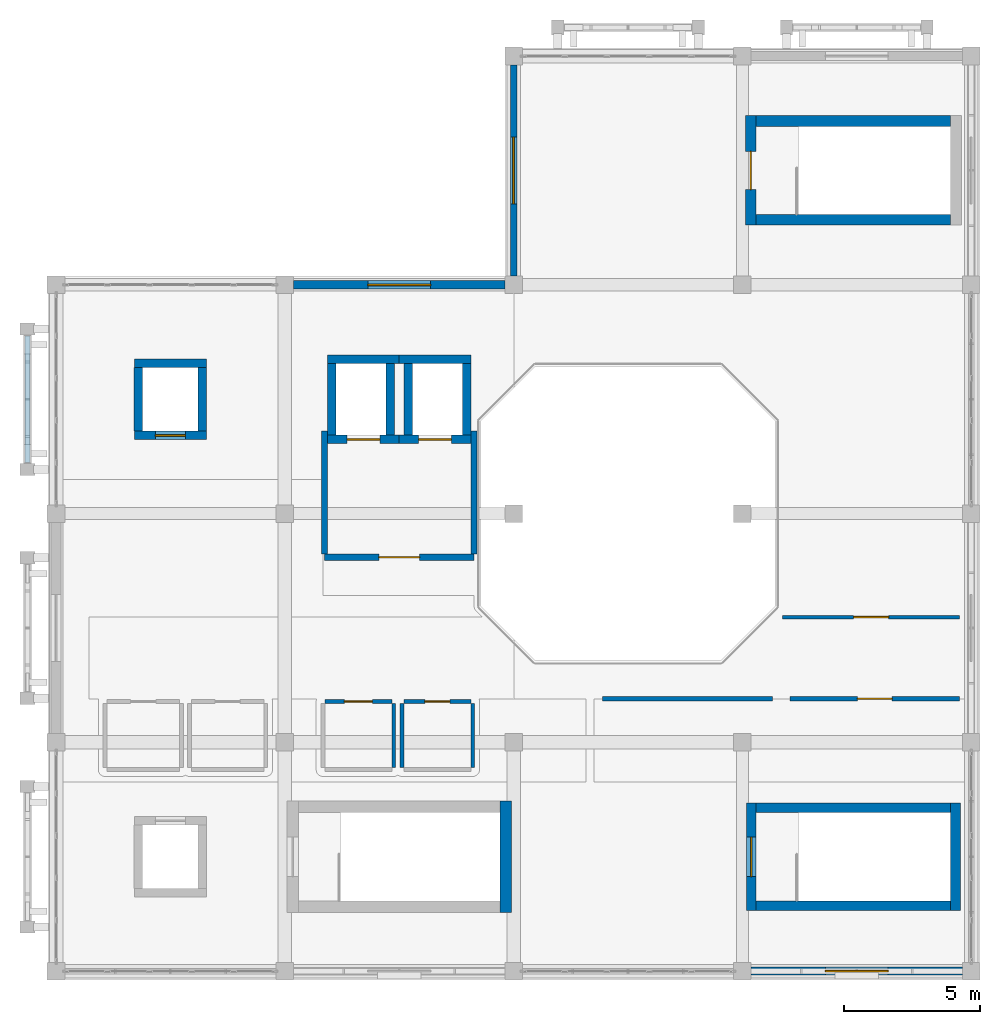
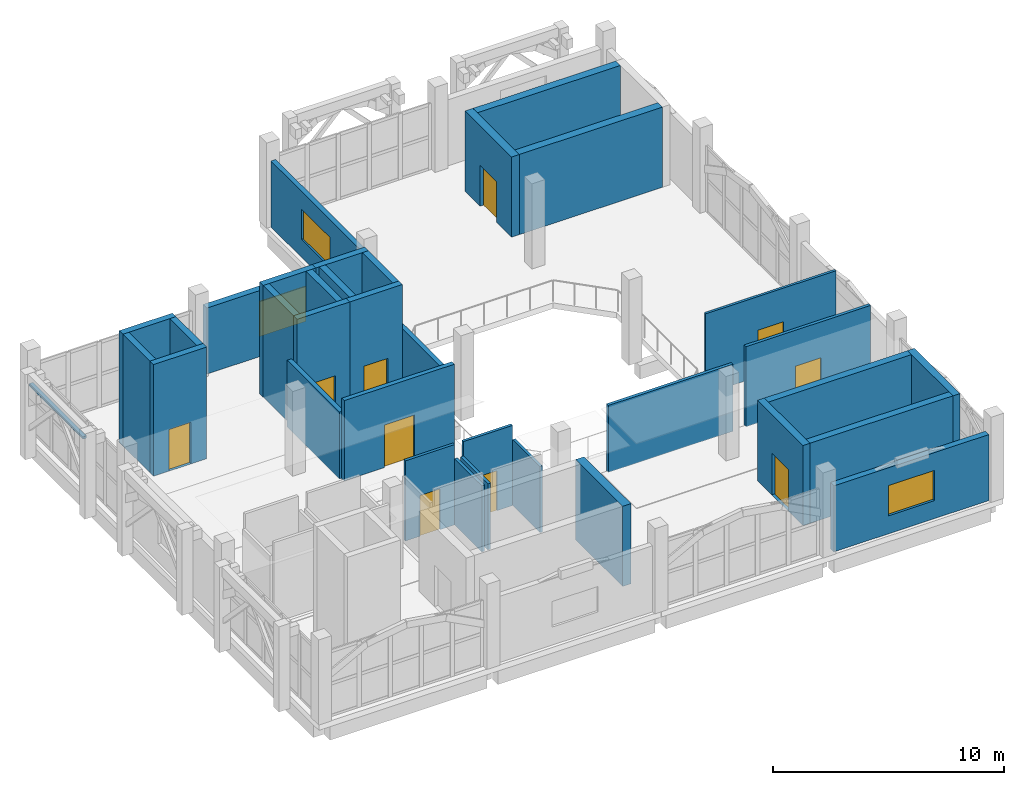
# One storey, part 14 of 16: 35 walls, 10 doors, 3 windows, 13 openings.
"""IFC4 building model written with IfcOpenShell, lengths in metres."""

from ifc_helpers import new_model, si_unit, direction, frame, frame_2d, origin, place, context, subcontext, project, spatial, rectangle, extrude, material, layer, layer_set, type_object, element, fill, save


model = new_model("IFC4")

# Units and contexts
model_context = context("Model", 3, precision=1e-05, world=origin(), true_north=direction((0.0, 1.0)))
body_context = subcontext(model_context, "Body", "Model", "MODEL_VIEW")
ifc_project = project(units=[si_unit("LENGTHUNIT", "METRE"), si_unit("AREAUNIT", "SQUARE_METRE"), si_unit("VOLUMEUNIT", "CUBIC_METRE"), si_unit("PLANEANGLEUNIT", "RADIAN"), si_unit("MASSUNIT", "GRAM", prefix="KILO")], contexts=[model_context])

# Site, building, storey
site_placement = place(None, origin())
site = spatial("IfcSite", under=ifc_project, at=site_placement, CompositionType="ELEMENT")
building_placement = place(site_placement, origin())
building = spatial("IfcBuilding", under=site, at=building_placement, Name="Xazarin Passage Department Store", CompositionType="ELEMENT")
storey_placement = place(building_placement, frame((0.0, 0.0, 32.39990234375)))
storey = spatial("IfcBuildingStorey", under=building, at=storey_placement, Name="L07", CompositionType="ELEMENT", Elevation=32.39990234375)

# Wall, opening, window
ifc_material_1 = material(Name="Precast concrete C40/50", Category="concrete")
ifc_layer_1 = layer(ifc_material_1, 0.239990234375)
ifc_layer_set_1 = layer_set([ifc_layer_1], Name="Precast concrete C40/50")
wall_type_1 = type_object("IfcWallType", Name="ARC-W-EXT240", PredefinedType="SOLIDWALL", material=ifc_layer_set_1)
wall_1_placement = place(storey_placement, frame((16.800048828125, 101.925048828125, 0.0), z_axis=(0.0, 0.0, 1.0), x_axis=(0.0, 1.0, 0.0)))
wall_1 = element("IfcWall", 1, at=wall_1_placement, inside=storey, type_object=wall_type_1, Name="L07 V1 Exterior Wall 084", PredefinedType="SOLIDWALL", context=body_context, shape_type="SweptSolid", body=[
    extrude(rectangle(XDim=7.75, YDim=0.239990234375, at=frame_2d((3.875, 0.0))), origin(), (0.0, 0.0, 1.0), 3.489990234375),
])
opening_1_placement = place(wall_1_placement, frame((2.64990234375, 0.0, 0.949951171875)))
opening_1 = element("IfcOpeningElement", 2, at=opening_1_placement, cuts=wall_1, Name="Opening W42", PredefinedType="OPENING", context=body_context, shape_type="SweptSolid", body=[
    extrude(rectangle(XDim=2.449951171875, YDim=1.60009765625, at=frame_2d((1.22509765625, 0.800048828125))), frame((0.0, 0.1298828125, 0.0), z_axis=(0.0, -1.0, 0.0), x_axis=(1.0, 0.0, 0.0)), (0.0, 0.0, 1.0), 0.260009765625),
])
ifc_material_2 = material(Name="Low-E laminated safety glass", Category="glass")
window_type_1 = type_object("IfcWindowType", Name="ARC-WIN-W42", PartitioningType="DOUBLE_PANEL_VERTICAL", PredefinedType="WINDOW", material=ifc_material_2)
window_1_placement = place(opening_1_placement, origin())
window_1 = element("IfcWindow", 3, at=window_1_placement, inside=storey, type_object=window_type_1, Name="L07 V1 Facade Window 0042", OverallHeight=1.60009765625, OverallWidth=2.449951171875, PartitioningType="DOUBLE_PANEL_VERTICAL", PredefinedType="WINDOW", context=body_context, shape_type="SweptSolid", body=[
    extrude(rectangle(XDim=2.449951171875, YDim=1.60009765625, at=frame_2d((1.22509765625, 0.800048828125))), frame((0.0, 0.030029296875, 0.0), z_axis=(0.0, -1.0, 0.0), x_axis=(1.0, 0.0, 0.0)), (0.0, 0.0, 1.0), 0.06005859375),
])
fill(opening_1, window_1)

ifc_layer_2 = layer(ifc_material_1, 0.300048828125)
ifc_layer_set_2 = layer_set([ifc_layer_2], Name="Precast concrete C40/50")
wall_type_2 = type_object("IfcWallType", Name="ARC-W-EXT300", PredefinedType="SOLIDWALL", material=ifc_layer_set_2)
wall_2_placement = place(storey_placement, frame((25.52490234375, 76.39990234375, 0.0), z_axis=(0.0, 0.0, 1.0), x_axis=(1.0, 0.0, 0.0)))
wall_2 = element("IfcWall", 4, at=wall_2_placement, inside=storey, type_object=wall_type_2, Name="L07 V1 Exterior Wall 080", PredefinedType="SOLIDWALL", context=body_context, shape_type="SweptSolid", body=[
    extrude(rectangle(XDim=7.75, YDim=0.300048828125, at=frame_2d((3.875, 0.0))), origin(), (0.0, 0.0, 1.0), 3.489990234375),
])
opening_2_placement = place(wall_2_placement, frame((2.72509765625, 0.0, 0.949951171875)))
opening_2 = element("IfcOpeningElement", 5, at=opening_2_placement, cuts=wall_2, Name="Opening W38", PredefinedType="OPENING", context=body_context, shape_type="SweptSolid", body=[
    extrude(rectangle(XDim=2.300048828125, YDim=1.60009765625, at=frame_2d((1.14990234375, 0.800048828125))), frame((0.0, 0.159912109375, 0.0), z_axis=(0.0, -1.0, 0.0), x_axis=(1.0, 0.0, 0.0)), (0.0, 0.0, 1.0), 0.320068359375),
])
window_type_2 = type_object("IfcWindowType", Name="ARC-WIN-W38", PartitioningType="DOUBLE_PANEL_VERTICAL", PredefinedType="WINDOW", material=ifc_material_2)
window_2_placement = place(opening_2_placement, origin())
window_2 = element("IfcWindow", 6, at=window_2_placement, inside=storey, type_object=window_type_2, Name="L07 V1 Facade Window 0038", OverallHeight=1.60009765625, OverallWidth=2.300048828125, PartitioningType="DOUBLE_PANEL_VERTICAL", PredefinedType="WINDOW", context=body_context, shape_type="SweptSolid", body=[
    extrude(rectangle(XDim=2.300048828125, YDim=1.60009765625, at=frame_2d((1.14990234375, 0.800048828125))), frame((0.0, 0.030029296875, 0.0), z_axis=(0.0, -1.0, 0.0), x_axis=(1.0, 0.0, 0.0)), (0.0, 0.0, 1.0), 0.06005859375),
])
fill(opening_2, window_2)

ifc_material_3 = material(Name="Buff Baku clay brick", Category="masonry")
ifc_layer_3 = layer(ifc_material_3, 0.320068359375)
ifc_layer_set_3 = layer_set([ifc_layer_3], Name="Buff Baku clay brick")
wall_type_3 = type_object("IfcWallType", Name="ARC-W-EXT320", PredefinedType="SOLIDWALL", material=ifc_layer_set_3)
wall_3_placement = place(storey_placement, frame((8.72509765625, 101.60009765625, 0.0), z_axis=(0.0, 0.0, 1.0), x_axis=(1.0, 0.0, 0.0)))
wall_3 = element("IfcWall", 7, at=wall_3_placement, inside=storey, type_object=wall_type_3, Name="L07 V1 Exterior Wall 081", PredefinedType="SOLIDWALL", context=body_context, shape_type="SweptSolid", body=[
    extrude(rectangle(XDim=7.75, YDim=0.320068359375, at=frame_2d((3.875, 0.0))), origin(), (0.0, 0.0, 1.0), 3.489990234375),
])
opening_3_placement = place(wall_3_placement, frame((2.72509765625, 0.0, 0.949951171875)))
opening_3 = element("IfcOpeningElement", 8, at=opening_3_placement, cuts=wall_3, Name="Opening W39", PredefinedType="OPENING", context=body_context, shape_type="SweptSolid", body=[
    extrude(rectangle(XDim=2.300048828125, YDim=1.85009765625, at=frame_2d((1.14990234375, 0.925048828125))), frame((0.0, 0.169921875, 0.0), z_axis=(0.0, -1.0, 0.0), x_axis=(1.0, 0.0, 0.0)), (0.0, 0.0, 1.0), 0.340087890625),
])
window_type_3 = type_object("IfcWindowType", Name="ARC-WIN-W39", PartitioningType="DOUBLE_PANEL_VERTICAL", PredefinedType="WINDOW", material=ifc_material_2)
window_3_placement = place(opening_3_placement, origin())
window_3 = element("IfcWindow", 9, at=window_3_placement, inside=storey, type_object=window_type_3, Name="L07 V1 Facade Window 0039", OverallHeight=1.85009765625, OverallWidth=2.300048828125, PartitioningType="DOUBLE_PANEL_VERTICAL", PredefinedType="WINDOW", context=body_context, shape_type="SweptSolid", body=[
    extrude(rectangle(XDim=2.300048828125, YDim=1.85009765625, at=frame_2d((1.14990234375, 0.925048828125))), frame((0.0, 0.030029296875, 0.0), z_axis=(0.0, -1.0, 0.0), x_axis=(1.0, 0.0, 0.0)), (0.0, 0.0, 1.0), 0.06005859375),
])
fill(opening_3, window_3)

# Wall, opening, door
ifc_material_4 = material(Name="Concrete C35/45", Category="concrete")
ifc_layer_4 = layer(ifc_material_4, 0.22509765625)
ifc_layer_set_4 = layer_set([ifc_layer_4], Name="Concrete C35/45")
wall_type_4 = type_object("IfcWallType", Name="ARC-W-FIR225", PredefinedType="PARTITIONING", material=ifc_layer_set_4)
wall_4_placement = place(storey_placement, frame((9.85009765625, 91.60009765625, 0.0), z_axis=(0.0, 0.0, 1.0), x_axis=(1.0, 0.0, 0.0)))
wall_4 = element("IfcWall", 10, at=wall_4_placement, inside=storey, type_object=wall_type_4, Name="L07 Firefighting Lift Lobby South Wall 0025", PredefinedType="PARTITIONING", context=body_context, shape_type="SweptSolid", body=[
    extrude(rectangle(XDim=5.5, YDim=0.22509765625, at=frame_2d((2.75, 0.0))), origin(), (0.0, 0.0, 1.0), 4.239990234375),
])
opening_4_placement = place(wall_4_placement, frame((2.0, 0.0, 0.0)))
opening_4 = element("IfcOpeningElement", 11, at=opening_4_placement, cuts=wall_4, Name="Opening FD3", PredefinedType="OPENING", context=body_context, shape_type="SweptSolid", body=[
    extrude(rectangle(XDim=1.5, YDim=2.25, at=frame_2d((0.75, 1.125))), frame((0.0, 0.12255859375, 0.0), z_axis=(0.0, -1.0, 0.0), x_axis=(1.0, 0.0, 0.0)), (0.0, 0.0, 1.0), 0.2451171875),
])
ifc_material_5 = material(Name="Steel S355", Category="steel")
door_type_1 = type_object("IfcDoorType", Name="ARC-DR-FFL150", OperationType="NOTDEFINED", PredefinedType="DOOR", material=ifc_material_5)
door_1_placement = place(opening_4_placement, origin())
door_1 = element("IfcDoor", 12, at=door_1_placement, inside=storey, type_object=door_type_1, Name="DR-INT-L07-0025", OperationType="SINGLE_SWING_RIGHT", OverallHeight=2.25, OverallWidth=1.5, PredefinedType="DOOR", context=body_context, shape_type="SweptSolid", body=[
    extrude(rectangle(XDim=1.5, YDim=2.25, at=frame_2d((0.75, 1.125))), frame((0.0, 0.02490234375, 0.0), z_axis=(0.0, -1.0, 0.0), x_axis=(1.0, 0.0, 0.0)), (0.0, 0.0, 1.0), 0.050048828125),
])
fill(opening_4, door_1)

# Walls
for number, where, z_axis, x_axis, name in (
    (13, (9.85009765625, 91.7099609375, 0.0), (0.0, 0.0, 1.0), (0.0, 1.0, 0.0), "L07 Firefighting Lift Lobby West Wall 0026"),
    (14, (15.35009765625, 91.7099609375, 0.0), (0.0, 0.0, 1.0), (0.0, 1.0, 0.0), "L07 Firefighting Lift Lobby East Wall 0027"),
):
    element("IfcWall", number, at=place(storey_placement, frame(where, z_axis=z_axis, x_axis=x_axis)), inside=storey, type_object=wall_type_4, Name=name, PredefinedType="PARTITIONING", context=body_context, shape_type="SweptSolid", body=[
        extrude(rectangle(XDim=4.530029296875, YDim=0.22509765625, at=frame_2d((2.26513671875, 0.0))), origin(), (0.0, 0.0, 1.0), 3.5400390625),
    ])
ifc_layer_5 = layer(ifc_material_1, 0.18994140625)
ifc_layer_set_5 = layer_set([ifc_layer_5], Name="Precast concrete C40/50")
wall_type_5 = type_object("IfcWallType", Name="ARC-W-PAR190", PredefinedType="PARAPET", material=ifc_layer_set_5)
wall_5_placement = place(storey_placement, frame((-1.050048828125, 95.070068359375, 3.880126953125), z_axis=(0.0, 0.0, 1.0), x_axis=(0.0, 1.0, 0.0)))
element("IfcWall", 15, at=wall_5_placement, inside=storey, type_object=wall_type_5, Name="L07 V1 Pierced-Arch Spandrel Lintel 0070", PredefinedType="PARAPET", context=body_context, shape_type="SweptSolid", body=[
    extrude(rectangle(XDim=4.659912109375, YDim=0.18994140625, at=frame_2d((2.330078125, 0.0))), origin(), (0.0, 0.0, 1.0), 0.119873046875),
])

# Wall, opening, door
ifc_material_6 = material(Name="Gypsum board acoustic partition")
ifc_layer_6 = layer(ifc_material_6, 0.125)
ifc_layer_set_6 = layer_set([ifc_layer_6], Name="Gypsum board acoustic partition")
wall_type_6 = type_object("IfcWallType", Name="ARC-W-PRT125", PredefinedType="PARTITIONING", material=ifc_layer_set_6)
wall_6_placement = place(storey_placement, frame((26.673583984375, 89.39990234375, 0.0), z_axis=(0.0, 0.0, 1.0), x_axis=(1.0, 0.0, 0.0)))
wall_6 = element("IfcWall", 16, at=wall_6_placement, inside=storey, type_object=wall_type_6, Name="L07 Panorama Dining Salon Front Wall 0309", PredefinedType="PARTITIONING", context=body_context, shape_type="SweptSolid", body=[
    extrude(rectangle(XDim=6.50634765625, YDim=0.125, at=frame_2d((3.253173828125, 0.0))), origin(), (0.0, 0.0, 1.0), 4.239990234375),
])
opening_5_placement = place(wall_6_placement, frame((2.61328125, 0.0, 0.0)))
opening_5 = element("IfcOpeningElement", 17, at=opening_5_placement, cuts=wall_6, Name="Opening ID30", PredefinedType="OPENING", context=body_context, shape_type="SweptSolid", body=[
    extrude(rectangle(XDim=1.280029296875, YDim=2.4599609375, at=frame_2d((0.64013671875, 1.22998046875))), frame((0.0, 0.072509765625, 0.0), z_axis=(0.0, -1.0, 0.0), x_axis=(1.0, 0.0, 0.0)), (0.0, 0.0, 1.0), 0.14501953125),
])
ifc_material_7 = material(Name="Timber acoustic leaf", Category="wood")
door_type_2 = type_object("IfcDoorType", Name="ARC-DR-ID30", OperationType="NOTDEFINED", PredefinedType="DOOR", material=ifc_material_7)
door_2_placement = place(opening_5_placement, origin())
door_2 = element("IfcDoor", 18, at=door_2_placement, inside=storey, type_object=door_type_2, Name="DR-INT-L07-0309", OperationType="SINGLE_SWING_RIGHT", OverallHeight=2.4599609375, OverallWidth=1.280029296875, PredefinedType="DOOR", context=body_context, shape_type="SweptSolid", body=[
    extrude(rectangle(XDim=1.280029296875, YDim=2.4599609375, at=frame_2d((0.64013671875, 1.22998046875))), frame((0.0, 0.02490234375, 0.0), z_axis=(0.0, -1.0, 0.0), x_axis=(1.0, 0.0, 0.0)), (0.0, 0.0, 1.0), 0.050048828125),
])
fill(opening_5, door_2)

ifc_material_8 = material(Name="Moisture-resistant masonry partition", Category="masonry")
ifc_layer_7 = layer(ifc_material_8, 0.139892578125)
ifc_layer_set_7 = layer_set([ifc_layer_7], Name="Moisture-resistant masonry partition")
wall_type_7 = type_object("IfcWallType", Name="ARC-W-PRT140", PredefinedType="PARTITIONING", material=ifc_layer_set_7)
wall_7_placement = place(storey_placement, frame((9.8701171875, 86.300048828125, 0.0), z_axis=(0.0, 0.0, 1.0), x_axis=(1.0, 0.0, 0.0)))
wall_7 = element("IfcWall", 19, at=wall_7_placement, inside=storey, type_object=wall_type_7, Name="L07 Accessible WC 0299", PredefinedType="PARTITIONING", context=body_context, shape_type="SweptSolid", body=[
    extrude(rectangle(XDim=2.4599609375, YDim=0.139892578125, at=frame_2d((1.22998046875, 0.0))), origin(), (0.0, 0.0, 1.0), 4.239990234375),
])
opening_6_placement = place(wall_7_placement, frame((0.719970703125, 0.0, 0.0)))
opening_6 = element("IfcOpeningElement", 20, at=opening_6_placement, cuts=wall_7, Name="Opening ID2", PredefinedType="OPENING", context=body_context, shape_type="SweptSolid", body=[
    extrude(rectangle(XDim=1.02001953125, YDim=2.14990234375, at=frame_2d((0.510009765625, 1.074951171875))), frame((0.0, 0.079833984375, 0.0), z_axis=(0.0, -1.0, 0.0), x_axis=(1.0, 0.0, 0.0)), (0.0, 0.0, 1.0), 0.159912109375),
])
door_type_3 = type_object("IfcDoorType", Name="ARC-DR-AWC102", OperationType="NOTDEFINED", PredefinedType="DOOR", material=ifc_material_7)
door_3_placement = place(opening_6_placement, origin())
door_3 = element("IfcDoor", 21, at=door_3_placement, inside=storey, type_object=door_type_3, Name="DR-INT-L07-0299", OperationType="SINGLE_SWING_LEFT", OverallHeight=2.14990234375, OverallWidth=1.02001953125, PredefinedType="DOOR", context=body_context, shape_type="SweptSolid", body=[
    extrude(rectangle(XDim=1.02001953125, YDim=2.14990234375, at=frame_2d((0.510009765625, 1.074951171875))), frame((0.0, 0.02490234375, 0.0), z_axis=(0.0, -1.0, 0.0), x_axis=(1.0, 0.0, 0.0)), (0.0, 0.0, 1.0), 0.050048828125),
])
fill(opening_6, door_3)

# Wall
wall_8_placement = place(storey_placement, frame((12.39990234375, 83.8701171875, 0.0), z_axis=(0.0, 0.0, 1.0), x_axis=(0.0, 1.0, 0.0)))
element("IfcWall", 22, at=wall_8_placement, inside=storey, type_object=wall_type_7, Name="L07 Accessible WC Side Wall 0302", PredefinedType="PARTITIONING", context=body_context, shape_type="SweptSolid", body=[
    extrude(rectangle(XDim=2.35986328125, YDim=0.139892578125, at=frame_2d((1.179931640625, 0.0))), origin(), (0.0, 0.0, 1.0), 3.489990234375),
])

# Wall, opening, door
wall_9_placement = place(storey_placement, frame((12.77001953125, 86.300048828125, 0.0), z_axis=(0.0, 0.0, 1.0), x_axis=(1.0, 0.0, 0.0)))
wall_9 = element("IfcWall", 23, at=wall_9_placement, inside=storey, type_object=wall_type_7, Name="L07 Staff WC 0303", PredefinedType="PARTITIONING", context=body_context, shape_type="SweptSolid", body=[
    extrude(rectangle(XDim=2.4599609375, YDim=0.139892578125, at=frame_2d((1.22998046875, 0.0))), origin(), (0.0, 0.0, 1.0), 4.239990234375),
])
opening_7_placement = place(wall_9_placement, frame((0.77001953125, 0.0, 0.0)))
opening_7 = element("IfcOpeningElement", 24, at=opening_7_placement, cuts=wall_9, Name="Opening ID1", PredefinedType="OPENING", context=body_context, shape_type="SweptSolid", body=[
    extrude(rectangle(XDim=0.919921875, YDim=2.1201171875, at=frame_2d((0.4599609375, 1.06005859375))), frame((0.0, 0.079833984375, 0.0), z_axis=(0.0, -1.0, 0.0), x_axis=(1.0, 0.0, 0.0)), (0.0, 0.0, 1.0), 0.159912109375),
])
door_type_4 = type_object("IfcDoorType", Name="ARC-DR-WC092", OperationType="NOTDEFINED", PredefinedType="DOOR", material=ifc_material_7)
door_4_placement = place(opening_7_placement, origin())
door_4 = element("IfcDoor", 25, at=door_4_placement, inside=storey, type_object=door_type_4, Name="DR-INT-L07-0303", OperationType="SINGLE_SWING_RIGHT", OverallHeight=2.1201171875, OverallWidth=0.919921875, PredefinedType="DOOR", context=body_context, shape_type="SweptSolid", body=[
    extrude(rectangle(XDim=0.919921875, YDim=2.1201171875, at=frame_2d((0.4599609375, 1.06005859375))), frame((0.0, 0.02490234375, 0.0), z_axis=(0.0, -1.0, 0.0), x_axis=(1.0, 0.0, 0.0)), (0.0, 0.0, 1.0), 0.050048828125),
])
fill(opening_7, door_4)

# Walls
for number, where, z_axis, x_axis, name in (
    (26, (12.699951171875, 83.8701171875, 0.0), (0.0, 0.0, 1.0), (0.0, 1.0, 0.0), "L07 Staff WC Side Wall 0305"),
    (27, (15.300048828125, 83.8701171875, 0.0), (0.0, 0.0, 1.0), (0.0, 1.0, 0.0), "L07 Staff WC Side Wall 0306"),
):
    element("IfcWall", number, at=place(storey_placement, frame(where, z_axis=z_axis, x_axis=x_axis)), inside=storey, type_object=wall_type_7, Name=name, PredefinedType="PARTITIONING", context=body_context, shape_type="SweptSolid", body=[
        extrude(rectangle(XDim=2.35986328125, YDim=0.139892578125, at=frame_2d((1.179931640625, 0.0))), origin(), (0.0, 0.0, 1.0), 3.489990234375),
    ])
ifc_layer_8 = layer(ifc_material_6, 0.155029296875)
ifc_layer_set_8 = layer_set([ifc_layer_8], Name="Gypsum board acoustic partition")
wall_type_8 = type_object("IfcWallType", Name="ARC-W-PRT155", PredefinedType="PARTITIONING", material=ifc_layer_set_8)
wall_10_placement = place(storey_placement, frame((20.070068359375, 86.39990234375, 0.0), z_axis=(0.0, 0.0, 1.0), x_axis=(1.0, 0.0, 0.0)))
element("IfcWall", 28, at=wall_10_placement, inside=storey, type_object=wall_type_8, Name="L07 Panorama Dining Salon Front Wall 0307", PredefinedType="PARTITIONING", context=body_context, shape_type="SweptSolid", body=[
    extrude(rectangle(XDim=6.23486328125, YDim=0.155029296875, at=frame_2d((3.117431640625, 0.0))), origin(), (0.0, 0.0, 1.0), 3.5400390625),
])

# Wall, opening, door
wall_11_placement = place(storey_placement, frame((26.945068359375, 86.39990234375, 0.0), z_axis=(0.0, 0.0, 1.0), x_axis=(1.0, 0.0, 0.0)))
wall_11 = element("IfcWall", 29, at=wall_11_placement, inside=storey, type_object=wall_type_8, Name="L07 Panorama Dining Salon Front Wall 0308", PredefinedType="PARTITIONING", context=body_context, shape_type="SweptSolid", body=[
    extrude(rectangle(XDim=6.23486328125, YDim=0.155029296875, at=frame_2d((3.117431640625, 0.0))), origin(), (0.0, 0.0, 1.0), 4.239990234375),
])
opening_8_placement = place(wall_11_placement, frame((2.4775390625, 0.0, 0.0)))
opening_8 = element("IfcOpeningElement", 30, at=opening_8_placement, cuts=wall_11, Name="Opening ID29", PredefinedType="OPENING", context=body_context, shape_type="SweptSolid", body=[
    extrude(rectangle(XDim=1.280029296875, YDim=2.340087890625, at=frame_2d((0.64013671875, 1.169921875))), frame((0.0, 0.08740234375, 0.0), z_axis=(0.0, -1.0, 0.0), x_axis=(1.0, 0.0, 0.0)), (0.0, 0.0, 1.0), 0.175048828125),
])
door_type_5 = type_object("IfcDoorType", Name="ARC-DR-ID29", OperationType="NOTDEFINED", PredefinedType="DOOR", material=ifc_material_7)
door_5_placement = place(opening_8_placement, origin())
door_5 = element("IfcDoor", 31, at=door_5_placement, inside=storey, type_object=door_type_5, Name="DR-INT-L07-0308", OperationType="SINGLE_SWING_LEFT", OverallHeight=2.340087890625, OverallWidth=1.280029296875, PredefinedType="DOOR", context=body_context, shape_type="SweptSolid", body=[
    extrude(rectangle(XDim=1.280029296875, YDim=2.340087890625, at=frame_2d((0.64013671875, 1.169921875))), frame((0.0, 0.02490234375, 0.0), z_axis=(0.0, -1.0, 0.0), x_axis=(1.0, 0.0, 0.0)), (0.0, 0.0, 1.0), 0.050048828125),
])
fill(opening_8, door_5)

ifc_material_9 = material(Name="Concrete C40/50", Category="concrete")
ifc_layer_9 = layer(ifc_material_9, 0.31005859375)
ifc_layer_set_9 = layer_set([ifc_layer_9], Name="Concrete C40/50")
wall_type_9 = type_object("IfcWallType", Name="STR-W-LFT310", PredefinedType="SHEAR", material=ifc_layer_set_9)
wall_12_placement = place(storey_placement, frame((9.969970703125, 95.925048828125, 0.0), z_axis=(0.0, 0.0, 1.0), x_axis=(1.0, 0.0, 0.0)))
wall_12 = element("IfcWall", 32, at=wall_12_placement, inside=storey, type_object=wall_type_9, Name="L07 Lift FL1 Shaft Wall South", PredefinedType="SHEAR", context=body_context, shape_type="SweptSolid", body=[
    extrude(rectangle(XDim=2.630126953125, YDim=0.31005859375, at=frame_2d((1.31494140625, 0.0))), origin(), (0.0, 0.0, 1.0), 5.900146484375),
])
opening_9_placement = place(wall_12_placement, frame((0.715087890625, 0.0, 0.0)))
opening_9 = element("IfcOpeningElement", 33, at=opening_9_placement, cuts=wall_12, Name="Opening LD-FL1-L07", PredefinedType="OPENING", context=body_context, shape_type="SweptSolid", body=[
    extrude(rectangle(XDim=1.199951171875, YDim=2.25, at=frame_2d((0.60009765625, 1.125))), frame((0.0, 0.1650390625, 0.0), z_axis=(0.0, -1.0, 0.0), x_axis=(1.0, 0.0, 0.0)), (0.0, 0.0, 1.0), 0.330078125),
])
door_type_6 = type_object("IfcDoorType", Name="ARC-DR-LD120", OperationType="NOTDEFINED", PredefinedType="DOOR", material=ifc_material_5)
door_6_placement = place(opening_9_placement, origin())
door_6 = element("IfcDoor", 34, at=door_6_placement, inside=storey, type_object=door_type_6, Name="DR-LD-FL1-L07", OperationType="SLIDING_TO_LEFT", OverallHeight=2.25, OverallWidth=1.199951171875, PredefinedType="DOOR", context=body_context, shape_type="SweptSolid", body=[
    extrude(rectangle(XDim=1.199951171875, YDim=2.25, at=frame_2d((0.60009765625, 1.125))), frame((0.0, 0.02490234375, 0.0), z_axis=(0.0, -1.0, 0.0), x_axis=(1.0, 0.0, 0.0)), (0.0, 0.0, 1.0), 0.050048828125),
])
fill(opening_9, door_6)

# Walls
wall_13_placement = place(storey_placement, frame((9.969970703125, 98.875, 0.0), z_axis=(0.0, 0.0, 1.0), x_axis=(1.0, 0.0, 0.0)))
element("IfcWall", 35, at=wall_13_placement, inside=storey, type_object=wall_type_9, Name="L07 Lift FL1 Shaft Wall North", PredefinedType="SHEAR", context=body_context, shape_type="SweptSolid", body=[
    extrude(rectangle(XDim=2.630126953125, YDim=0.31005859375, at=frame_2d((1.31494140625, 0.0))), origin(), (0.0, 0.0, 1.0), 5.900146484375),
])
for number, where, z_axis, x_axis, name in (
    (36, (10.125, 96.080078125, 0.0), (0.0, 0.0, 1.0), (0.0, 1.0, 0.0), "L07 Lift FL1 Shaft Wall West"),
    (37, (12.27490234375, 96.080078125, 0.0), (0.0, 0.0, 1.0), (0.0, 1.0, 0.0), "L07 Lift FL1 Shaft Wall East"),
):
    element("IfcWall", number, at=place(storey_placement, frame(where, z_axis=z_axis, x_axis=x_axis)), inside=storey, type_object=wall_type_9, Name=name, PredefinedType="SHEAR", context=body_context, shape_type="SweptSolid", body=[
        extrude(rectangle(XDim=2.639892578125, YDim=0.31005859375, at=frame_2d((1.31982421875, 0.0))), origin(), (0.0, 0.0, 1.0), 5.900146484375),
    ])

# Wall, opening, door
wall_14_placement = place(storey_placement, frame((12.60009765625, 95.925048828125, 0.0), z_axis=(0.0, 0.0, 1.0), x_axis=(1.0, 0.0, 0.0)))
wall_14 = element("IfcWall", 38, at=wall_14_placement, inside=storey, type_object=wall_type_9, Name="L07 Lift FL2 Shaft Wall South", PredefinedType="SHEAR", context=body_context, shape_type="SweptSolid", body=[
    extrude(rectangle(XDim=2.6298828125, YDim=0.31005859375, at=frame_2d((1.31494140625, 0.0))), origin(), (0.0, 0.0, 1.0), 5.900146484375),
])
opening_10_placement = place(wall_14_placement, frame((0.715087890625, 0.0, 0.0)))
opening_10 = element("IfcOpeningElement", 39, at=opening_10_placement, cuts=wall_14, Name="Opening LD-FL2-L07", PredefinedType="OPENING", context=body_context, shape_type="SweptSolid", body=[
    extrude(rectangle(XDim=1.199951171875, YDim=2.25, at=frame_2d((0.60009765625, 1.125))), frame((0.0, 0.1650390625, 0.0), z_axis=(0.0, -1.0, 0.0), x_axis=(1.0, 0.0, 0.0)), (0.0, 0.0, 1.0), 0.330078125),
])
door_7_placement = place(opening_10_placement, origin())
door_7 = element("IfcDoor", 40, at=door_7_placement, inside=storey, type_object=door_type_6, Name="DR-LD-FL2-L07", OperationType="SLIDING_TO_LEFT", OverallHeight=2.25, OverallWidth=1.199951171875, PredefinedType="DOOR", context=body_context, shape_type="SweptSolid", body=[
    extrude(rectangle(XDim=1.199951171875, YDim=2.25, at=frame_2d((0.60009765625, 1.125))), frame((0.0, 0.02490234375, 0.0), z_axis=(0.0, -1.0, 0.0), x_axis=(1.0, 0.0, 0.0)), (0.0, 0.0, 1.0), 0.050048828125),
])
fill(opening_10, door_7)

# Walls
wall_15_placement = place(storey_placement, frame((12.60009765625, 98.875, 0.0), z_axis=(0.0, 0.0, 1.0), x_axis=(1.0, 0.0, 0.0)))
element("IfcWall", 41, at=wall_15_placement, inside=storey, type_object=wall_type_9, Name="L07 Lift FL2 Shaft Wall North", PredefinedType="SHEAR", context=body_context, shape_type="SweptSolid", body=[
    extrude(rectangle(XDim=2.6298828125, YDim=0.31005859375, at=frame_2d((1.31494140625, 0.0))), origin(), (0.0, 0.0, 1.0), 5.900146484375),
])
for number, where, z_axis, x_axis, name in (
    (42, (12.925048828125, 96.080078125, 0.0), (0.0, 0.0, 1.0), (0.0, 1.0, 0.0), "L07 Lift FL2 Shaft Wall West"),
    (43, (15.074951171875, 96.080078125, 0.0), (0.0, 0.0, 1.0), (0.0, 1.0, 0.0), "L07 Lift FL2 Shaft Wall East"),
):
    element("IfcWall", number, at=place(storey_placement, frame(where, z_axis=z_axis, x_axis=x_axis)), inside=storey, type_object=wall_type_9, Name=name, PredefinedType="SHEAR", context=body_context, shape_type="SweptSolid", body=[
        extrude(rectangle(XDim=2.639892578125, YDim=0.31005859375, at=frame_2d((1.31982421875, 0.0))), origin(), (0.0, 0.0, 1.0), 5.900146484375),
    ])

# Wall, opening, door
wall_16_placement = place(storey_placement, frame((2.8701171875, 96.074951171875, 0.0), z_axis=(0.0, 0.0, 1.0), x_axis=(1.0, 0.0, 0.0)))
wall_16 = element("IfcWall", 44, at=wall_16_placement, inside=storey, type_object=wall_type_9, Name="L07 Lift PL2 Shaft Wall South", PredefinedType="SHEAR", context=body_context, shape_type="SweptSolid", body=[
    extrude(rectangle(XDim=2.659912109375, YDim=0.31005859375, at=frame_2d((1.330078125, 0.0))), origin(), (0.0, 0.0, 1.0), 5.900146484375),
])
opening_11_placement = place(wall_16_placement, frame((0.780029296875, 0.0, 0.0)))
opening_11 = element("IfcOpeningElement", 45, at=opening_11_placement, cuts=wall_16, Name="Opening LD-PL2-L07", PredefinedType="OPENING", context=body_context, shape_type="SweptSolid", body=[
    extrude(rectangle(XDim=1.10009765625, YDim=2.199951171875, at=frame_2d((0.550048828125, 1.10009765625))), frame((0.0, 0.1650390625, 0.0), z_axis=(0.0, -1.0, 0.0), x_axis=(1.0, 0.0, 0.0)), (0.0, 0.0, 1.0), 0.330078125),
])
door_type_7 = type_object("IfcDoorType", Name="ARC-DR-LD110", OperationType="NOTDEFINED", PredefinedType="DOOR", material=ifc_material_5)
door_8_placement = place(opening_11_placement, origin())
door_8 = element("IfcDoor", 46, at=door_8_placement, inside=storey, type_object=door_type_7, Name="DR-LD-PL2-L07", OperationType="SLIDING_TO_LEFT", OverallHeight=2.199951171875, OverallWidth=1.10009765625, PredefinedType="DOOR", context=body_context, shape_type="SweptSolid", body=[
    extrude(rectangle(XDim=1.10009765625, YDim=2.199951171875, at=frame_2d((0.550048828125, 1.10009765625))), frame((0.0, 0.02490234375, 0.0), z_axis=(0.0, -1.0, 0.0), x_axis=(1.0, 0.0, 0.0)), (0.0, 0.0, 1.0), 0.050048828125),
])
fill(opening_11, door_8)

# Walls
wall_17_placement = place(storey_placement, frame((2.8701171875, 98.72509765625, 0.0), z_axis=(0.0, 0.0, 1.0), x_axis=(1.0, 0.0, 0.0)))
element("IfcWall", 47, at=wall_17_placement, inside=storey, type_object=wall_type_9, Name="L07 Lift PL2 Shaft Wall North", PredefinedType="SHEAR", context=body_context, shape_type="SweptSolid", body=[
    extrude(rectangle(XDim=2.659912109375, YDim=0.31005859375, at=frame_2d((1.330078125, 0.0))), origin(), (0.0, 0.0, 1.0), 5.900146484375),
])
for number, where, z_axis, x_axis, name in (
    (48, (3.02490234375, 96.22998046875, 0.0), (0.0, 0.0, 1.0), (0.0, 1.0, 0.0), "L07 Lift PL2 Shaft Wall West"),
    (49, (5.375, 96.22998046875, 0.0), (0.0, 0.0, 1.0), (0.0, 1.0, 0.0), "L07 Lift PL2 Shaft Wall East"),
):
    element("IfcWall", number, at=place(storey_placement, frame(where, z_axis=z_axis, x_axis=x_axis)), inside=storey, type_object=wall_type_9, Name=name, PredefinedType="SHEAR", context=body_context, shape_type="SweptSolid", body=[
        extrude(rectangle(XDim=2.340087890625, YDim=0.31005859375, at=frame_2d((1.169921875, 0.0))), origin(), (0.0, 0.0, 1.0), 5.900146484375),
    ])

# Wall, opening, door
ifc_layer_10 = layer(ifc_material_9, 0.35009765625)
ifc_layer_set_10 = layer_set([ifc_layer_10], Name="Concrete C40/50")
wall_type_10 = type_object("IfcWallType", Name="STR-W-SHR350", PredefinedType="SHEAR", material=ifc_layer_set_10)
wall_18_placement = place(storey_placement, frame((25.52490234375, 82.570068359375, 0.0), z_axis=(0.0, 0.0, 1.0), x_axis=(0.0, -1.0, 0.0)))
wall_18 = element("IfcWall", 50, at=wall_18_placement, inside=storey, type_object=wall_type_10, Name="L07 Core K3 West Shear Wall", PredefinedType="SHEAR", context=body_context, shape_type="SweptSolid", body=[
    extrude(rectangle(XDim=3.940185546875, YDim=0.35009765625, at=frame_2d((1.97021484375, 0.0))), origin(), (0.0, 0.0, 1.0), 4.239990234375),
])
opening_12_placement = place(wall_18_placement, frame((1.2451171875, 0.0, 0.0)))
opening_12 = element("IfcOpeningElement", 51, at=opening_12_placement, cuts=wall_18, Name="Opening FD1", PredefinedType="OPENING", context=body_context, shape_type="SweptSolid", body=[
    extrude(rectangle(XDim=1.449951171875, YDim=2.199951171875, at=frame_2d((0.72509765625, 1.10009765625))), frame((0.0, 0.18505859375, 0.0), z_axis=(0.0, -1.0, 0.0), x_axis=(1.0, 0.0, 0.0)), (0.0, 0.0, 1.0), 0.3701171875),
])
door_type_8 = type_object("IfcDoorType", Name="ARC-DR-STR145", OperationType="NOTDEFINED", PredefinedType="DOOR", material=ifc_material_5)
door_9_placement = place(opening_12_placement, origin())
door_9 = element("IfcDoor", 52, at=door_9_placement, inside=storey, type_object=door_type_8, Name="DR-STR-K3-L07", OperationType="SINGLE_SWING_LEFT", OverallHeight=2.199951171875, OverallWidth=1.449951171875, PredefinedType="DOOR", context=body_context, shape_type="SweptSolid", body=[
    extrude(rectangle(XDim=1.449951171875, YDim=2.199951171875, at=frame_2d((0.72509765625, 1.10009765625))), frame((0.0, 0.02490234375, 0.0), z_axis=(0.0, -1.0, 0.0), x_axis=(1.0, 0.0, 0.0)), (0.0, 0.0, 1.0), 0.050048828125),
])
fill(opening_12, door_9)

# Walls
wall_19_placement = place(storey_placement, frame((33.02490234375, 78.6298828125, 0.0), z_axis=(0.0, 0.0, 1.0), x_axis=(0.0, 1.0, 0.0)))
element("IfcWall", 53, at=wall_19_placement, inside=storey, type_object=wall_type_10, Name="L07 Core K3 East Shear Wall", PredefinedType="SHEAR", context=body_context, shape_type="SweptSolid", body=[
    extrude(rectangle(XDim=3.940185546875, YDim=0.35009765625, at=frame_2d((1.97021484375, 0.0))), origin(), (0.0, 0.0, 1.0), 4.239990234375),
])
for number, where, z_axis, x_axis, name in (
    (54, (25.699951171875, 78.804931640625, 0.0), (0.0, 0.0, 1.0), (1.0, 0.0, 0.0), "L07 Core K3 South Shear Wall"),
    (55, (25.699951171875, 82.39501953125, 0.0), (0.0, 0.0, 1.0), (1.0, 0.0, 0.0), "L07 Core K3 North Shear Wall"),
):
    element("IfcWall", number, at=place(storey_placement, frame(where, z_axis=z_axis, x_axis=x_axis)), inside=storey, type_object=wall_type_10, Name=name, PredefinedType="SHEAR", context=body_context, shape_type="SweptSolid", body=[
        extrude(rectangle(XDim=7.150146484375, YDim=0.35009765625, at=frame_2d((3.5751953125, 0.0))), origin(), (0.0, 0.0, 1.0), 4.239990234375),
    ])

# Wall, opening, door
ifc_layer_11 = layer(ifc_material_9, 0.389892578125)
ifc_layer_set_11 = layer_set([ifc_layer_11], Name="Concrete C40/50")
wall_type_11 = type_object("IfcWallType", Name="STR-W-SHR390", PredefinedType="SHEAR", material=ifc_layer_set_11)
wall_20_placement = place(storey_placement, frame((25.5048828125, 107.81005859375, 0.0), z_axis=(0.0, 0.0, 1.0), x_axis=(0.0, -1.0, 0.0)))
wall_20 = element("IfcWall", 56, at=wall_20_placement, inside=storey, type_object=wall_type_11, Name="L07 Core K2 West Shear Wall", PredefinedType="SHEAR", context=body_context, shape_type="SweptSolid", body=[
    extrude(rectangle(XDim=4.02001953125, YDim=0.389892578125, at=frame_2d((2.010009765625, 0.0))), origin(), (0.0, 0.0, 1.0), 4.239990234375),
])
opening_13_placement = place(wall_20_placement, frame((1.31005859375, 0.0, 0.0)))
opening_13 = element("IfcOpeningElement", 57, at=opening_13_placement, cuts=wall_20, Name="Opening FD2", PredefinedType="OPENING", context=body_context, shape_type="SweptSolid", body=[
    extrude(rectangle(XDim=1.39990234375, YDim=2.14990234375, at=frame_2d((0.699951171875, 1.074951171875))), frame((0.0, 0.204833984375, 0.0), z_axis=(0.0, -1.0, 0.0), x_axis=(1.0, 0.0, 0.0)), (0.0, 0.0, 1.0), 0.409912109375),
])
door_type_9 = type_object("IfcDoorType", Name="ARC-DR-STR140", OperationType="NOTDEFINED", PredefinedType="DOOR", material=ifc_material_5)
door_10_placement = place(opening_13_placement, origin())
door_10 = element("IfcDoor", 58, at=door_10_placement, inside=storey, type_object=door_type_9, Name="DR-STR-K2-L07", OperationType="SINGLE_SWING_LEFT", OverallHeight=2.14990234375, OverallWidth=1.39990234375, PredefinedType="DOOR", context=body_context, shape_type="SweptSolid", body=[
    extrude(rectangle(XDim=1.39990234375, YDim=2.14990234375, at=frame_2d((0.699951171875, 1.074951171875))), frame((0.0, 0.02490234375, 0.0), z_axis=(0.0, -1.0, 0.0), x_axis=(1.0, 0.0, 0.0)), (0.0, 0.0, 1.0), 0.050048828125),
])
fill(opening_13, door_10)

# Walls
for number, where, z_axis, x_axis, name in (
    (59, (25.699951171875, 103.985107421875, 0.0), (0.0, 0.0, 1.0), (1.0, 0.0, 0.0), "L07 Core K2 South Shear Wall"),
    (60, (25.699951171875, 107.614990234375, 0.0), (0.0, 0.0, 1.0), (1.0, 0.0, 0.0), "L07 Core K2 North Shear Wall"),
):
    element("IfcWall", number, at=place(storey_placement, frame(where, z_axis=z_axis, x_axis=x_axis)), inside=storey, type_object=wall_type_11, Name=name, PredefinedType="SHEAR", context=body_context, shape_type="SweptSolid", body=[
        extrude(rectangle(XDim=7.150146484375, YDim=0.389892578125, at=frame_2d((3.5751953125, 0.0))), origin(), (0.0, 0.0, 1.0), 4.239990234375),
    ])
ifc_layer_12 = layer(ifc_material_9, 0.419921875)
ifc_layer_set_12 = layer_set([ifc_layer_12], Name="Concrete C40/50")
wall_type_12 = type_object("IfcWallType", Name="STR-W-SHR420", PredefinedType="SHEAR", material=ifc_layer_set_12)
wall_21_placement = place(storey_placement, frame((16.510009765625, 78.56005859375, 0.0), z_axis=(0.0, 0.0, 1.0), x_axis=(0.0, 1.0, 0.0)))
element("IfcWall", 61, at=wall_21_placement, inside=storey, type_object=wall_type_12, Name="L07 Core K1 East Shear Wall", PredefinedType="SHEAR", context=body_context, shape_type="SweptSolid", body=[
    extrude(rectangle(XDim=4.079833984375, YDim=0.419921875, at=frame_2d((2.0400390625, 0.0))), origin(), (0.0, 0.0, 1.0), 4.239990234375),
])

save(model, "model.ifc")
